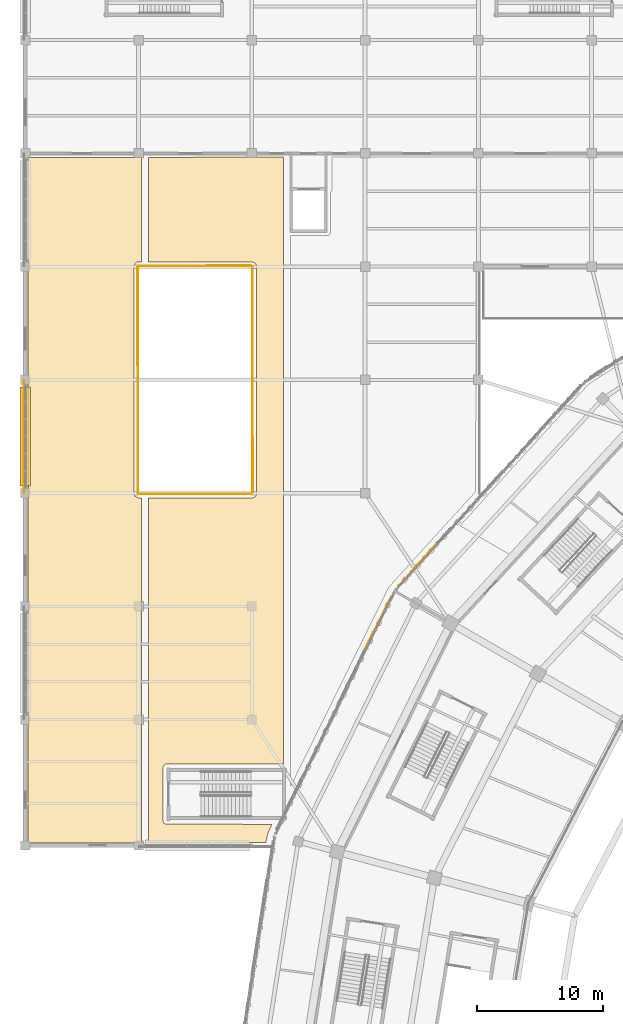
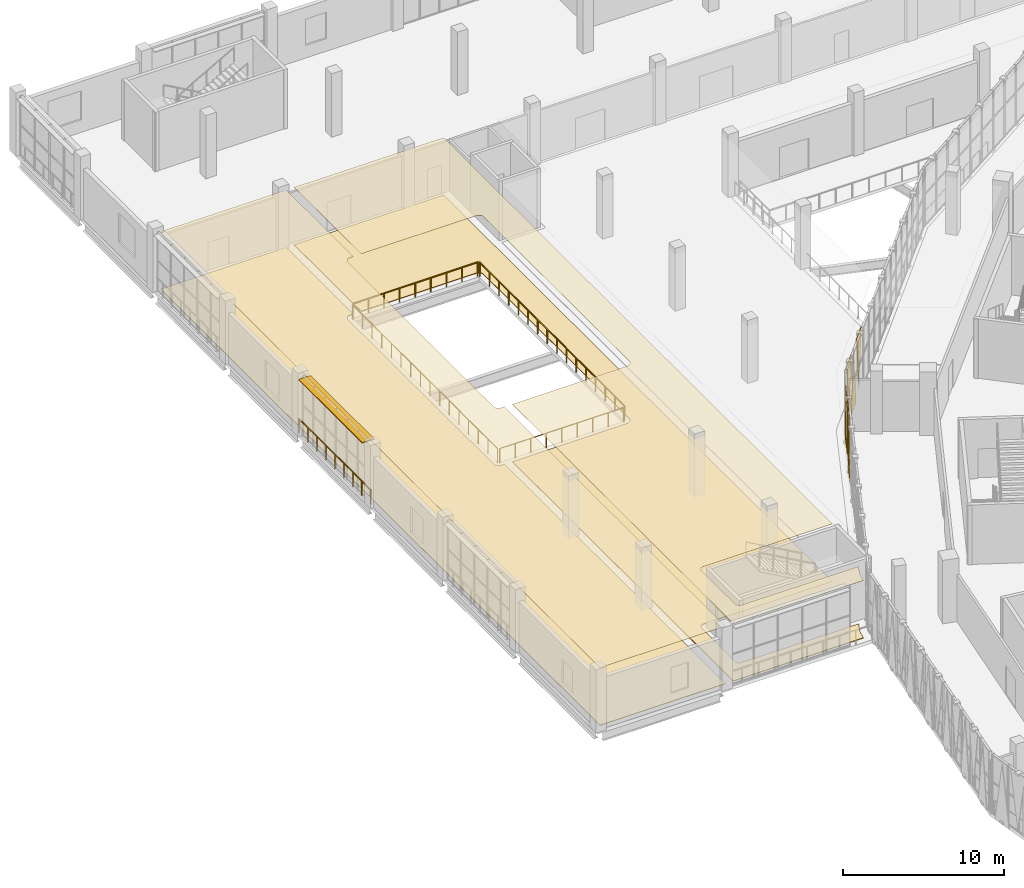
# One storey, part 157 of 179: 10 coverings, 5 railings, 1 shading device.
"""IFC4 building model written with IfcOpenShell, lengths in metres."""

from ifc_helpers import new_model, si_unit, direction, frame, origin, origin_2d, place, context, subcontext, project, spatial, polyline, rectangle, circle, outline, extrude, material, layer, layer_set, type_object, element, save


model = new_model("IFC4")

# Units and contexts
model_context = context("Model", 3, precision=1e-05, world=origin(), true_north=direction((0.0, 1.0)))
body_context = subcontext(model_context, "Body", "Model", "MODEL_VIEW")
ifc_project = project(units=[si_unit("LENGTHUNIT", "METRE"), si_unit("AREAUNIT", "SQUARE_METRE"), si_unit("VOLUMEUNIT", "CUBIC_METRE"), si_unit("PLANEANGLEUNIT", "RADIAN"), si_unit("MASSUNIT", "GRAM", prefix="KILO")], contexts=[model_context])

# Site, building, storey
site_placement = place(None, origin())
site = spatial("IfcSite", under=ifc_project, at=site_placement, CompositionType="ELEMENT")
building_placement = place(site_placement, origin())
building = spatial("IfcBuilding", under=site, at=building_placement, Name="Zevraka Park Crest Stadium", CompositionType="ELEMENT")
storey_placement = place(building_placement, frame((0.0, 0.0, 10.199951171875)))
storey = spatial("IfcBuildingStorey", under=building, at=storey_placement, Name="L02", CompositionType="ELEMENT", Elevation=10.199951171875)

# Coverings
ifc_material_1 = material(Name="Architectural golden-bronze perforated aluminium", Category="aluminium")
ifc_layer_1 = layer(ifc_material_1, 0.034912109375)
ifc_layer_set_1 = layer_set([ifc_layer_1], Name="Architectural golden-bronze perforated aluminium")
covering_type_1 = type_object("IfcCoveringType", Name="CLD01", PredefinedType="CLADDING", material=ifc_layer_set_1)
covering_1_placement = place(storey_placement, frame((31.73291015625, 134.928955078125, 4.47998046875), z_axis=(0.73952552216, -0.673128493854, 0.000181206503), x_axis=(0.673128504906, 0.739525534301, 0.0)))
element("IfcCovering", 1, at=covering_1_placement, inside=storey, type_object=covering_type_1, Name="Triangular Golden-Bronze Perforated Cladding L02-09-12", PredefinedType="CLADDING", context=body_context, shape_type="SweptSolid", body=[
    extrude(outline(polyline([(0.0, 0.0), (1.386221890693398, -2.710505431213761e-20), (0.6929882508091156, -4.26000983556541), (0.0, 0.0)])), origin(), (0.0, 0.0, -1.0), 0.034912109375),
])
covering_2_placement = place(storey_placement, frame((31.6259765625, 134.81005859375, -0.239990234375), z_axis=(0.739174911283, -0.673513505732, 9.0147969e-05), x_axis=(-0.673513508469, -0.739174914286, 0.0)))
element("IfcCovering", 2, at=covering_2_placement, inside=storey, type_object=covering_type_1, Name="Triangular Golden-Bronze Perforated Cladding L02-09-13", PredefinedType="CLADDING", context=body_context, shape_type="SweptSolid", body=[
    extrude(outline(polyline([(0.0, 0.0), (1.3868794307835661, -1.3552527156068805e-20), (0.6929885588278876, -4.560058612279015), (0.0, 0.0)])), origin(), (0.0, 0.0, -1.0), 0.034912109375),
])
covering_3_placement = place(storey_placement, frame((29.652099609375, 132.64208984375, 4.47998046875), z_axis=(-0.739533407338, 0.673119854559, 2.8803588e-05), x_axis=(0.673119854838, 0.739533407645, 0.0)))
element("IfcCovering", 3, at=covering_3_placement, inside=storey, type_object=covering_type_1, Name="Triangular Golden-Bronze Perforated Cladding L02-09-14", PredefinedType="CLADDING", context=body_context, shape_type="SweptSolid", body=[
    extrude(outline(polyline([(0.0, 0.0), (1.3858770045481603, 0.0), (0.6921665622222284, 4.260009767392152), (0.0, 0.0)])), origin(), (0.0, 0.0, -1.0), 0.034912109375),
])
covering_4_placement = place(storey_placement, frame((29.06103515625, 131.77392578125, -0.239990234375), z_axis=(-0.897302423981, 0.441416274973, 0.000179183893), x_axis=(-0.441416282059, -0.897302438386, 0.0)))
element("IfcCovering", 4, at=covering_4_placement, inside=storey, type_object=covering_type_1, Name="Triangular Golden-Bronze Perforated Cladding L02-10-1", PredefinedType="CLADDING", context=body_context, shape_type="SweptSolid", body=[
    extrude(outline(polyline([(0.0, 0.0), (1.4341488213161262, 0.0), (0.7173526614858992, 4.560058666954599), (0.0, 0.0)])), origin(), (0.0, 0.0, -1.0), 0.034912109375),
])
covering_5_placement = place(storey_placement, frame((27.72509765625, 129.054931640625, 4.47998046875), z_axis=(-0.897535423701, 0.44094234614, 0.000102875285), x_axis=(0.440942348473, 0.89753542845, 0.0)))
element("IfcCovering", 5, at=covering_5_placement, inside=storey, type_object=covering_type_1, Name="Triangular Golden-Bronze Perforated Cladding L02-10-2", PredefinedType="CLADDING", context=body_context, shape_type="SweptSolid", body=[
    extrude(outline(polyline([(0.0, 0.0), (1.4351365936876894, 0.0), (0.7173529929627545, 4.260009788167531), (0.0, 0.0)])), origin(), (0.0, 0.0, -1.0), 0.034912109375),
])
covering_6_placement = place(storey_placement, frame((27.654052734375, 128.912109375, -0.239990234375), z_axis=(0.897737356227, -0.440531087049, 2.4031946e-05), x_axis=(-0.440531087176, -0.897737356486, 0.0)))
element("IfcCovering", 6, at=covering_6_placement, inside=storey, type_object=covering_type_1, Name="Triangular Golden-Bronze Perforated Cladding L02-10-3", PredefinedType="CLADDING", context=body_context, shape_type="SweptSolid", body=[
    extrude(outline(polyline([(0.0, 0.0), (1.4348137884574985, 1.6940658945086007e-21), (0.7174606699962269, -4.560058595066796), (0.0, 0.0)])), origin(), (0.0, 0.0, -1.0), 0.034912109375),
])
ifc_material_2 = material(Name="Perforated acoustic mineral-fibre suspended ceiling", Category="other")
ifc_layer_2 = layer(ifc_material_2, 0.02490234375)
ifc_layer_set_2 = layer_set([ifc_layer_2], Name="Perforated acoustic mineral-fibre suspended ceiling")
covering_type_2 = type_object("IfcCoveringType", Name="CLG01", PredefinedType="CEILING", material=ifc_layer_set_2)
covering_7_placement = place(storey_placement, frame((0.0, 0.0, 4.360107421875)))
element("IfcCovering", 7, at=covering_7_placement, inside=storey, type_object=covering_type_2, Name="Acoustic Ceiling Community Sports Classroom L02-053", PredefinedType="CEILING", context=body_context, shape_type="SweptSolid", body=[
    extrude(outline(polyline([(0.22998046875, 112.2080078125), (0.208984375, 166.675048828125), (9.216064453125, 166.68505859375), (9.215087890625, 158.360107421875), (8.9169921875, 158.35888671875), (8.89599609375, 158.35791015625), (8.8759765625, 158.35498046875), (8.85595703125, 158.35009765625), (8.8369140625, 158.342041015625), (8.819091796875, 158.3330078125), (8.801025390625, 158.322021484375), (8.784912109375, 158.31005859375), (8.77099609375, 158.294921875), (8.757080078125, 158.280029296875), (8.74609375, 158.262939453125), (8.64892578125, 158.10302734375), (8.639892578125, 158.0869140625), (8.633056640625, 158.070068359375), (8.626953125, 158.052978515625), (8.623046875, 158.034912109375), (8.62109375, 158.01708984375), (8.6201171875, 157.9990234375), (8.64111328125, 139.9169921875), (8.64208984375, 139.89599609375), (8.64501953125, 139.8759765625), (8.64990234375, 139.85595703125), (8.657958984375, 139.8369140625), (8.6669921875, 139.819091796875), (8.677978515625, 139.801025390625), (8.68994140625, 139.784912109375), (8.705078125, 139.77099609375), (8.719970703125, 139.757080078125), (8.737060546875, 139.74609375), (8.89697265625, 139.64892578125), (8.9130859375, 139.639892578125), (8.929931640625, 139.633056640625), (8.947021484375, 139.626953125), (8.965087890625, 139.623046875), (8.98291015625, 139.62109375), (9.0009765625, 139.6201171875), (9.216064453125, 139.6201171875), (9.215087890625, 112.214111328125), (0.22998046875, 112.2080078125)])), origin(), (0.0, 0.0, 1.0), 0.02490234375),
])
covering_8_placement = place(storey_placement, frame((0.0, 0.0, 4.360107421875)))
element("IfcCovering", 8, at=covering_8_placement, inside=storey, type_object=covering_type_2, Name="Acoustic Ceiling Community Sports Classroom L02-054", PredefinedType="CEILING", context=body_context, shape_type="SweptSolid", body=[
    extrude(outline(polyline([(9.77587890625, 166.68603515625), (20.49609375, 166.698974609375), (20.4951171875, 118.47705078125), (11.2509765625, 118.47998046875), (11.23095703125, 118.47900390625), (11.2109375, 118.47607421875), (11.19189453125, 118.470947265625), (11.173095703125, 118.464111328125), (11.155029296875, 118.455078125), (11.137939453125, 118.445068359375), (11.02587890625, 118.367919921875), (11.010009765625, 118.35595703125), (10.99609375, 118.343017578125), (10.98291015625, 118.3291015625), (10.971923828125, 118.31298828125), (10.9619140625, 118.2958984375), (10.9541015625, 118.279052734375), (10.947021484375, 118.260986328125), (10.943115234375, 118.241943359375), (10.93994140625, 118.222900390625), (10.93896484375, 118.202880859375), (10.929931640625, 114.0009765625), (10.930908203125, 113.98291015625), (10.93310546875, 113.964111328125), (10.93798828125, 113.946044921875), (10.944091796875, 113.928955078125), (10.950927734375, 113.912109375), (10.998046875, 113.818115234375), (11.008056640625, 113.800048828125), (11.02001953125, 113.783935546875), (11.032958984375, 113.76904296875), (11.047119140625, 113.7548828125), (11.06298828125, 113.742919921875), (11.080078125, 113.73193359375), (11.097900390625, 113.722900390625), (11.116943359375, 113.716064453125), (11.135986328125, 113.7109375), (11.156005859375, 113.7080078125), (11.176025390625, 113.70703125), (19.60693359375, 113.678955078125), (19.287109375, 113.007080078125), (19.278076171875, 112.987060546875), (19.27197265625, 112.965087890625), (19.10302734375, 112.220947265625), (9.77587890625, 112.214111328125), (9.777099609375, 139.593017578125), (18.051025390625, 139.6279296875), (18.070068359375, 139.62890625), (18.089111328125, 139.632080078125), (18.10791015625, 139.635986328125), (18.1259765625, 139.64306640625), (18.14306640625, 139.65087890625), (18.159912109375, 139.660888671875), (18.25, 139.719970703125), (18.264892578125, 139.73095703125), (18.279052734375, 139.742919921875), (18.2919921875, 139.757080078125), (18.302978515625, 139.77197265625), (18.31396484375, 139.7880859375), (18.322021484375, 139.803955078125), (18.3291015625, 139.822021484375), (18.368896484375, 139.93798828125), (18.375, 139.958984375), (18.37890625, 139.98095703125), (18.3798828125, 140.0029296875), (18.35888671875, 158.083984375), (18.35791015625, 158.10302734375), (18.35498046875, 158.1220703125), (18.35107421875, 158.139892578125), (18.344970703125, 158.157958984375), (18.3369140625, 158.175048828125), (18.327880859375, 158.19091796875), (18.31689453125, 158.2060546875), (18.304931640625, 158.220947265625), (18.2919921875, 158.23388671875), (18.277099609375, 158.2451171875), (18.260986328125, 158.256103515625), (18.10009765625, 158.35205078125), (18.0810546875, 158.362060546875), (18.06103515625, 158.3701171875), (18.041015625, 158.375), (18.01904296875, 158.37890625), (17.998046875, 158.3798828125), (9.787109375, 158.3720703125), (9.77587890625, 166.68603515625)])), origin(), (0.0, 0.0, 1.0), 0.02490234375),
])
ifc_material_3 = material(Name="Honed terrazzo and slip-resistant sports flooring", Category="other")
ifc_layer_3 = layer(ifc_material_3, 0.0400390625)
ifc_layer_set_3 = layer_set([ifc_layer_3], Name="Honed terrazzo and slip-resistant sports flooring")
covering_type_3 = type_object("IfcCoveringType", Name="FLR01", PredefinedType="FLOORING", material=ifc_layer_set_3)
covering_9_placement = place(storey_placement, origin())
element("IfcCovering", 9, at=covering_9_placement, inside=storey, type_object=covering_type_3, Name="Terrazzo Floor Finish Community Sports Classroom L02-053", PredefinedType="FLOORING", context=body_context, shape_type="SweptSolid", body=[
    extrude(outline(polyline([(0.22998046875, 112.2080078125), (0.208984375, 166.675048828125), (9.216064453125, 166.68505859375), (9.215087890625, 158.360107421875), (8.9169921875, 158.35888671875), (8.89599609375, 158.35791015625), (8.8759765625, 158.35498046875), (8.85595703125, 158.35009765625), (8.8369140625, 158.342041015625), (8.819091796875, 158.3330078125), (8.801025390625, 158.322021484375), (8.784912109375, 158.31005859375), (8.77099609375, 158.294921875), (8.757080078125, 158.280029296875), (8.74609375, 158.262939453125), (8.64892578125, 158.10302734375), (8.639892578125, 158.0869140625), (8.633056640625, 158.070068359375), (8.626953125, 158.052978515625), (8.623046875, 158.034912109375), (8.62109375, 158.01708984375), (8.6201171875, 157.9990234375), (8.64111328125, 139.9169921875), (8.64208984375, 139.89599609375), (8.64501953125, 139.8759765625), (8.64990234375, 139.85595703125), (8.657958984375, 139.8369140625), (8.6669921875, 139.819091796875), (8.677978515625, 139.801025390625), (8.68994140625, 139.784912109375), (8.705078125, 139.77099609375), (8.719970703125, 139.757080078125), (8.737060546875, 139.74609375), (8.89697265625, 139.64892578125), (8.9130859375, 139.639892578125), (8.929931640625, 139.633056640625), (8.947021484375, 139.626953125), (8.965087890625, 139.623046875), (8.98291015625, 139.62109375), (9.0009765625, 139.6201171875), (9.216064453125, 139.6201171875), (9.215087890625, 112.214111328125), (0.22998046875, 112.2080078125)])), origin(), (0.0, 0.0, 1.0), 0.0400390625),
])
covering_10_placement = place(storey_placement, origin())
element("IfcCovering", 10, at=covering_10_placement, inside=storey, type_object=covering_type_3, Name="Terrazzo Floor Finish Community Sports Classroom L02-054", PredefinedType="FLOORING", context=body_context, shape_type="SweptSolid", body=[
    extrude(outline(polyline([(9.77587890625, 166.68603515625), (20.49609375, 166.698974609375), (20.4951171875, 118.47705078125), (11.2509765625, 118.47998046875), (11.23095703125, 118.47900390625), (11.2109375, 118.47607421875), (11.19189453125, 118.470947265625), (11.173095703125, 118.464111328125), (11.155029296875, 118.455078125), (11.137939453125, 118.445068359375), (11.02587890625, 118.367919921875), (11.010009765625, 118.35595703125), (10.99609375, 118.343017578125), (10.98291015625, 118.3291015625), (10.971923828125, 118.31298828125), (10.9619140625, 118.2958984375), (10.9541015625, 118.279052734375), (10.947021484375, 118.260986328125), (10.943115234375, 118.241943359375), (10.93994140625, 118.222900390625), (10.93896484375, 118.202880859375), (10.929931640625, 114.0009765625), (10.930908203125, 113.98291015625), (10.93310546875, 113.964111328125), (10.93798828125, 113.946044921875), (10.944091796875, 113.928955078125), (10.950927734375, 113.912109375), (10.998046875, 113.818115234375), (11.008056640625, 113.800048828125), (11.02001953125, 113.783935546875), (11.032958984375, 113.76904296875), (11.047119140625, 113.7548828125), (11.06298828125, 113.742919921875), (11.080078125, 113.73193359375), (11.097900390625, 113.722900390625), (11.116943359375, 113.716064453125), (11.135986328125, 113.7109375), (11.156005859375, 113.7080078125), (11.176025390625, 113.70703125), (19.60693359375, 113.678955078125), (19.287109375, 113.007080078125), (19.278076171875, 112.987060546875), (19.27197265625, 112.965087890625), (19.10302734375, 112.220947265625), (9.77587890625, 112.214111328125), (9.777099609375, 139.593017578125), (18.051025390625, 139.6279296875), (18.070068359375, 139.62890625), (18.089111328125, 139.632080078125), (18.10791015625, 139.635986328125), (18.1259765625, 139.64306640625), (18.14306640625, 139.65087890625), (18.159912109375, 139.660888671875), (18.25, 139.719970703125), (18.264892578125, 139.73095703125), (18.279052734375, 139.742919921875), (18.2919921875, 139.757080078125), (18.302978515625, 139.77197265625), (18.31396484375, 139.7880859375), (18.322021484375, 139.803955078125), (18.3291015625, 139.822021484375), (18.368896484375, 139.93798828125), (18.375, 139.958984375), (18.37890625, 139.98095703125), (18.3798828125, 140.0029296875), (18.35888671875, 158.083984375), (18.35791015625, 158.10302734375), (18.35498046875, 158.1220703125), (18.35107421875, 158.139892578125), (18.344970703125, 158.157958984375), (18.3369140625, 158.175048828125), (18.327880859375, 158.19091796875), (18.31689453125, 158.2060546875), (18.304931640625, 158.220947265625), (18.2919921875, 158.23388671875), (18.277099609375, 158.2451171875), (18.260986328125, 158.256103515625), (18.10009765625, 158.35205078125), (18.0810546875, 158.362060546875), (18.06103515625, 158.3701171875), (18.041015625, 158.375), (18.01904296875, 158.37890625), (17.998046875, 158.3798828125), (9.787109375, 158.3720703125), (9.77587890625, 166.68603515625)])), origin(), (0.0, 0.0, 1.0), 0.0400390625),
])

# Railings
ifc_material_4 = material(Name="Galvanised and bronze-finished steel balustrade", Category="steel")
railing_type = type_object("IfcRailingType", Name="GR01", PredefinedType="GUARDRAIL", material=ifc_material_4)
railing_1_placement = place(storey_placement, frame((-0.10498046875, 140.06591796875, 0.0)))
element("IfcRailing", 11, at=railing_1_placement, inside=storey, type_object=railing_type, Name="Deck Edge Protection Guardrail GR01 L02-52", PredefinedType="GUARDRAIL", context=body_context, shape_type="SweptSolid", body=[
    extrude(circle(Radius=0.02392578125, at=origin_2d()), frame((0.0, 0.0, 1.076171875), z_axis=(0.0, 1.0, 0.0), x_axis=(-1.0, 0.0, 0.0)), (0.0, 0.0, 1.0), 8.8681640625),
    extrude(circle(Radius=0.02099609375, at=origin_2d()), origin(), (0.0, 0.0, 1.0), 1.052001953125),
    extrude(circle(Radius=0.02099609375, at=origin_2d()), frame((0.0, 1.1083984375, 0.0)), (0.0, 0.0, 1.0), 1.052001953125),
    extrude(circle(Radius=0.02099609375, at=origin_2d()), frame((0.0, 2.217041015625, 0.0)), (0.0, 0.0, 1.0), 1.052001953125),
    extrude(circle(Radius=0.02099609375, at=origin_2d()), frame((0.0, 3.32568359375, 0.0)), (0.0, 0.0, 1.0), 1.052001953125),
    extrude(circle(Radius=0.02099609375, at=origin_2d()), frame((0.0, 4.43408203125, 0.0)), (0.0, 0.0, 1.0), 1.052001953125),
    extrude(circle(Radius=0.02099609375, at=origin_2d()), frame((0.0, 5.54248046875, 0.0)), (0.0, 0.0, 1.0), 1.052001953125),
    extrude(circle(Radius=0.02099609375, at=origin_2d()), frame((0.0, 6.651123046875, 0.0)), (0.0, 0.0, 1.0), 1.052001953125),
    extrude(circle(Radius=0.02099609375, at=origin_2d()), frame((0.0, 7.759765625, 0.0)), (0.0, 0.0, 1.0), 1.052001953125),
    extrude(circle(Radius=0.02099609375, at=origin_2d()), frame((0.0, 8.8681640625, 0.0)), (0.0, 0.0, 1.0), 1.052001953125),
])
railing_2_placement = place(storey_placement, frame((18.070068359375, 140.06005859375, 0.0)))
element("IfcRailing", 12, at=railing_2_placement, inside=storey, type_object=railing_type, Name="Deck Edge Protection Guardrail GR01 L02-82", PredefinedType="GUARDRAIL", context=body_context, shape_type="SweptSolid", body=[
    extrude(circle(Radius=0.02392578125, at=origin_2d()), frame((0.0, 0.0, 1.076171875), z_axis=(-0.000789394642, 0.999999688428, 0.0), x_axis=(-0.999999688428, -0.000789394642, 0.0)), (0.0, 0.0, 1.0), 17.93798828125),
    extrude(circle(Radius=0.02099609375, at=origin_2d()), origin(), (0.0, 0.0, 1.0), 1.052001953125),
    extrude(circle(Radius=0.02099609375, at=origin_2d()), frame((-0.0009765625, 1.19580078125, 0.0)), (0.0, 0.0, 1.0), 1.052001953125),
    extrude(circle(Radius=0.02099609375, at=origin_2d()), frame((-0.001953125, 2.391845703125, 0.0)), (0.0, 0.0, 1.0), 1.052001953125),
    extrude(circle(Radius=0.02099609375, at=origin_2d()), frame((-0.0029296875, 3.587646484375, 0.0)), (0.0, 0.0, 1.0), 1.052001953125),
    extrude(circle(Radius=0.02099609375, at=origin_2d()), frame((-0.003662109375, 4.783447265625, 0.0)), (0.0, 0.0, 1.0), 1.052001953125),
    extrude(circle(Radius=0.02099609375, at=origin_2d()), frame((-0.004638671875, 5.979248046875, 0.0)), (0.0, 0.0, 1.0), 1.052001953125),
    extrude(circle(Radius=0.02099609375, at=origin_2d()), frame((-0.005615234375, 7.17529296875, 0.0)), (0.0, 0.0, 1.0), 1.052001953125),
    extrude(circle(Radius=0.02099609375, at=origin_2d()), frame((-0.006591796875, 8.37109375, 0.0)), (0.0, 0.0, 1.0), 1.052001953125),
    extrude(circle(Radius=0.02099609375, at=origin_2d()), frame((-0.007568359375, 9.56689453125, 0.0)), (0.0, 0.0, 1.0), 1.052001953125),
    extrude(circle(Radius=0.02099609375, at=origin_2d()), frame((-0.008544921875, 10.7626953125, 0.0)), (0.0, 0.0, 1.0), 1.052001953125),
    extrude(circle(Radius=0.02099609375, at=origin_2d()), frame((-0.009521484375, 11.958740234375, 0.0)), (0.0, 0.0, 1.0), 1.052001953125),
    extrude(circle(Radius=0.02099609375, at=origin_2d()), frame((-0.010498046875, 13.154541015625, 0.0)), (0.0, 0.0, 1.0), 1.052001953125),
    extrude(circle(Radius=0.02099609375, at=origin_2d()), frame((-0.01123046875, 14.350341796875, 0.0)), (0.0, 0.0, 1.0), 1.052001953125),
    extrude(circle(Radius=0.02099609375, at=origin_2d()), frame((-0.01220703125, 15.546142578125, 0.0)), (0.0, 0.0, 1.0), 1.052001953125),
    extrude(circle(Radius=0.02099609375, at=origin_2d()), frame((-0.01318359375, 16.7421875, 0.0)), (0.0, 0.0, 1.0), 1.052001953125),
    extrude(circle(Radius=0.02099609375, at=origin_2d()), frame((-0.01416015625, 17.93798828125, 0.0)), (0.0, 0.0, 1.0), 1.052001953125),
])
railing_3_placement = place(storey_placement, frame((17.93994140625, 158.070068359375, 0.0)))
element("IfcRailing", 13, at=railing_3_placement, inside=storey, type_object=railing_type, Name="Deck Edge Protection Guardrail GR01 L02-83", PredefinedType="GUARDRAIL", context=body_context, shape_type="SweptSolid", body=[
    extrude(circle(Radius=0.02392578125, at=origin_2d()), frame((0.0, 0.0, 1.076171875), z_axis=(-0.999998745052, -0.001584264606, 0.0), x_axis=(0.001584264606, -0.999998745052, 0.0)), (0.0, 0.0, 1.0), 8.93798828125),
    extrude(circle(Radius=0.02099609375, at=origin_2d()), origin(), (0.0, 0.0, 1.0), 1.052001953125),
    extrude(circle(Radius=0.02099609375, at=origin_2d()), frame((-1.1171875, -0.001708984375, 0.0)), (0.0, 0.0, 1.0), 1.052001953125),
    extrude(circle(Radius=0.02099609375, at=origin_2d()), frame((-2.234375, -0.00341796875, 0.0)), (0.0, 0.0, 1.0), 1.052001953125),
    extrude(circle(Radius=0.02099609375, at=origin_2d()), frame((-3.351806640625, -0.00537109375, 0.0)), (0.0, 0.0, 1.0), 1.052001953125),
    extrude(circle(Radius=0.02099609375, at=origin_2d()), frame((-4.468994140625, -0.007080078125, 0.0)), (0.0, 0.0, 1.0), 1.052001953125),
    extrude(circle(Radius=0.02099609375, at=origin_2d()), frame((-5.586181640625, -0.0087890625, 0.0)), (0.0, 0.0, 1.0), 1.052001953125),
    extrude(circle(Radius=0.02099609375, at=origin_2d()), frame((-6.70361328125, -0.0107421875, 0.0)), (0.0, 0.0, 1.0), 1.052001953125),
    extrude(circle(Radius=0.02099609375, at=origin_2d()), frame((-7.82080078125, -0.012451171875, 0.0)), (0.0, 0.0, 1.0), 1.052001953125),
    extrude(circle(Radius=0.02099609375, at=origin_2d()), frame((-8.93798828125, -0.01416015625, 0.0)), (0.0, 0.0, 1.0), 1.052001953125),
])
railing_4_placement = place(storey_placement, frame((8.929931640625, 157.93994140625, 0.0)))
element("IfcRailing", 14, at=railing_4_placement, inside=storey, type_object=railing_type, Name="Deck Edge Protection Guardrail GR01 L02-84", PredefinedType="GUARDRAIL", context=body_context, shape_type="SweptSolid", body=[
    extrude(circle(Radius=0.02392578125, at=origin_2d()), frame((0.0, 0.0, 1.076171875), z_axis=(0.000789394642, -0.999999688428, 0.0), x_axis=(0.999999688428, 0.000789394642, 0.0)), (0.0, 0.0, 1.0), 17.93798828125),
    extrude(circle(Radius=0.02099609375, at=origin_2d()), origin(), (0.0, 0.0, 1.0), 1.052001953125),
    extrude(circle(Radius=0.02099609375, at=origin_2d()), frame((0.0009765625, -1.19580078125, 0.0)), (0.0, 0.0, 1.0), 1.052001953125),
    extrude(circle(Radius=0.02099609375, at=origin_2d()), frame((0.001953125, -2.391845703125, 0.0)), (0.0, 0.0, 1.0), 1.052001953125),
    extrude(circle(Radius=0.02099609375, at=origin_2d()), frame((0.0029296875, -3.587646484375, 0.0)), (0.0, 0.0, 1.0), 1.052001953125),
    extrude(circle(Radius=0.02099609375, at=origin_2d()), frame((0.003662109375, -4.783447265625, 0.0)), (0.0, 0.0, 1.0), 1.052001953125),
    extrude(circle(Radius=0.02099609375, at=origin_2d()), frame((0.004638671875, -5.979248046875, 0.0)), (0.0, 0.0, 1.0), 1.052001953125),
    extrude(circle(Radius=0.02099609375, at=origin_2d()), frame((0.005615234375, -7.17529296875, 0.0)), (0.0, 0.0, 1.0), 1.052001953125),
    extrude(circle(Radius=0.02099609375, at=origin_2d()), frame((0.006591796875, -8.37109375, 0.0)), (0.0, 0.0, 1.0), 1.052001953125),
    extrude(circle(Radius=0.02099609375, at=origin_2d()), frame((0.007568359375, -9.56689453125, 0.0)), (0.0, 0.0, 1.0), 1.052001953125),
    extrude(circle(Radius=0.02099609375, at=origin_2d()), frame((0.008544921875, -10.7626953125, 0.0)), (0.0, 0.0, 1.0), 1.052001953125),
    extrude(circle(Radius=0.02099609375, at=origin_2d()), frame((0.009521484375, -11.958740234375, 0.0)), (0.0, 0.0, 1.0), 1.052001953125),
    extrude(circle(Radius=0.02099609375, at=origin_2d()), frame((0.010498046875, -13.154541015625, 0.0)), (0.0, 0.0, 1.0), 1.052001953125),
    extrude(circle(Radius=0.02099609375, at=origin_2d()), frame((0.01123046875, -14.350341796875, 0.0)), (0.0, 0.0, 1.0), 1.052001953125),
    extrude(circle(Radius=0.02099609375, at=origin_2d()), frame((0.01220703125, -15.546142578125, 0.0)), (0.0, 0.0, 1.0), 1.052001953125),
    extrude(circle(Radius=0.02099609375, at=origin_2d()), frame((0.01318359375, -16.7421875, 0.0)), (0.0, 0.0, 1.0), 1.052001953125),
    extrude(circle(Radius=0.02099609375, at=origin_2d()), frame((0.01416015625, -17.93798828125, 0.0)), (0.0, 0.0, 1.0), 1.052001953125),
])
railing_5_placement = place(storey_placement, frame((9.06005859375, 139.929931640625, 0.0)))
element("IfcRailing", 15, at=railing_5_placement, inside=storey, type_object=railing_type, Name="Deck Edge Protection Guardrail GR01 L02-85", PredefinedType="GUARDRAIL", context=body_context, shape_type="SweptSolid", body=[
    extrude(circle(Radius=0.02392578125, at=origin_2d()), frame((0.0, 0.0, 1.076171875), z_axis=(1.0, 0.0, 0.0), x_axis=(0.0, 1.0, 0.0)), (0.0, 0.0, 1.0), 8.8798828125),
    extrude(circle(Radius=0.02099609375, at=origin_2d()), origin(), (0.0, 0.0, 1.0), 1.052001953125),
    extrude(circle(Radius=0.02099609375, at=origin_2d()), frame((1.10986328125, 0.0, 0.0)), (0.0, 0.0, 1.0), 1.052001953125),
    extrude(circle(Radius=0.02099609375, at=origin_2d()), frame((2.219970703125, 0.0, 0.0)), (0.0, 0.0, 1.0), 1.052001953125),
    extrude(circle(Radius=0.02099609375, at=origin_2d()), frame((3.330078125, 0.0, 0.0)), (0.0, 0.0, 1.0), 1.052001953125),
    extrude(circle(Radius=0.02099609375, at=origin_2d()), frame((4.43994140625, 0.0, 0.0)), (0.0, 0.0, 1.0), 1.052001953125),
    extrude(circle(Radius=0.02099609375, at=origin_2d()), frame((5.5498046875, 0.0, 0.0)), (0.0, 0.0, 1.0), 1.052001953125),
    extrude(circle(Radius=0.02099609375, at=origin_2d()), frame((6.659912109375, 0.0, 0.0)), (0.0, 0.0, 1.0), 1.052001953125),
    extrude(circle(Radius=0.02099609375, at=origin_2d()), frame((7.77001953125, 0.0, 0.0)), (0.0, 0.0, 1.0), 1.052001953125),
    extrude(circle(Radius=0.02099609375, at=origin_2d()), frame((8.8798828125, 0.0, 0.0)), (0.0, 0.0, 1.0), 1.052001953125),
])

# Shading device
ifc_material_5 = material(Name="Architectural golden-bronze anodised bronze", Category="aluminium")
ifc_layer_4 = layer(ifc_material_5, 0.06005859375)
ifc_layer_set_4 = layer_set([ifc_layer_4], Name="Architectural golden-bronze anodised bronze")
shading_device_type = type_object("IfcShadingDeviceType", Name="SHD01", PredefinedType="USERDEFINED", material=ifc_layer_set_4)
shading_device_placement = place(storey_placement, frame((0.0, 144.5, 4.419921875), z_axis=(0.0, 0.0, 1.0), x_axis=(0.0, 1.0, 0.0)))
element("IfcShadingDevice", 16, at=shading_device_placement, inside=storey, type_object=shading_device_type, Name="Wing Bronze Solar Screen SHD01 L02-NW-W-4", ObjectType="SOLAR SCREEN", PredefinedType="USERDEFINED", context=body_context, shape_type="SweptSolid", body=[
    extrude(rectangle(XDim=7.8701171875, YDim=0.85009765625, at=origin_2d()), origin(), (0.0, 0.0, 1.0), 0.06005859375),
])

save(model, "model.ifc")
